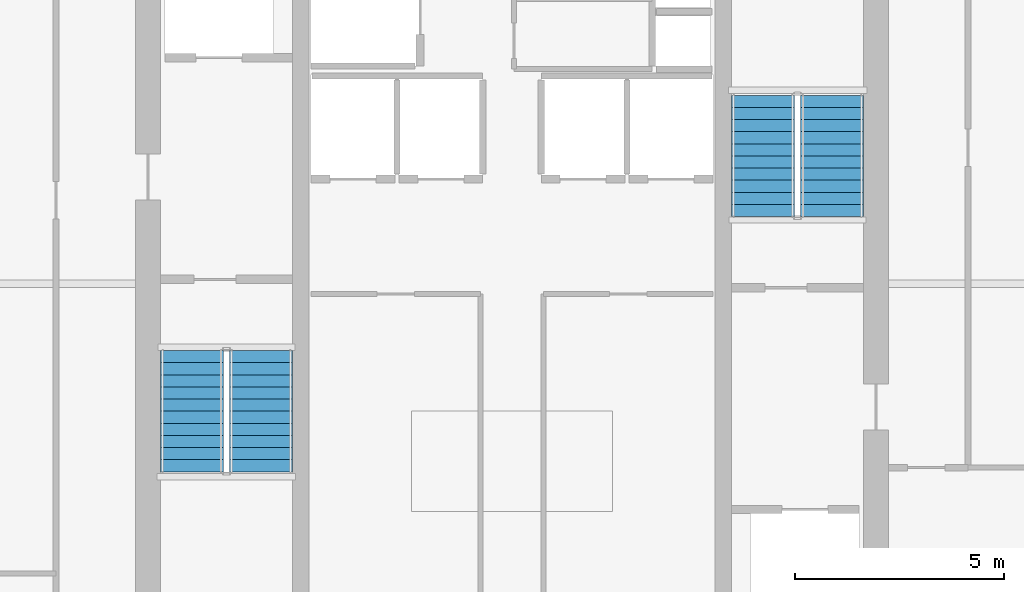
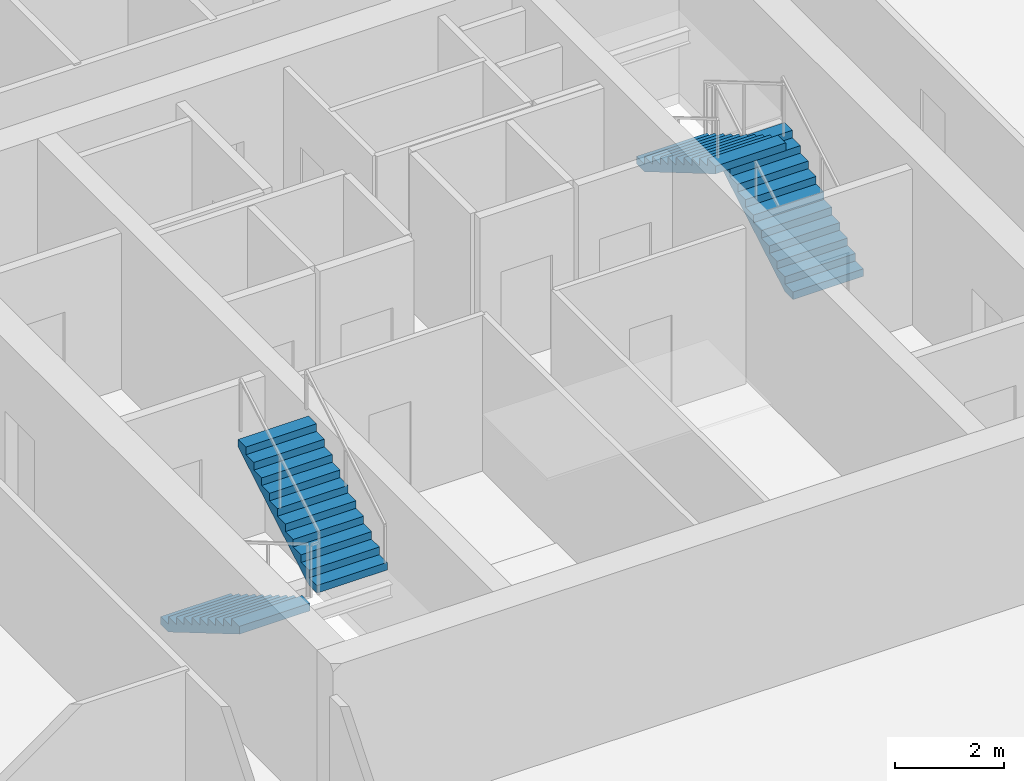
# One storey, part 16 of 19: 4 stair flights, 2 elements without a shape of their own.
"""IFC4 building model written with IfcOpenShell, lengths in metres."""

from ifc_helpers import new_model, si_unit, direction, frame, origin, place, context, subcontext, project, spatial, polyline, outline, extrude, material, type_object, element, aggregate, save


model = new_model("IFC4")

# Units and contexts
model_context = context("Model", 3, precision=1e-05, world=origin(), true_north=direction((0.0, 1.0)))
body_context = subcontext(model_context, "Body", "Model", "MODEL_VIEW")
ifc_project = project(units=[si_unit("LENGTHUNIT", "METRE"), si_unit("AREAUNIT", "SQUARE_METRE"), si_unit("VOLUMEUNIT", "CUBIC_METRE"), si_unit("PLANEANGLEUNIT", "RADIAN"), si_unit("MASSUNIT", "GRAM", prefix="KILO")], contexts=[model_context])

# Site, building, storey
site_placement = place(None, origin())
site = spatial("IfcSite", under=ifc_project, at=site_placement, CompositionType="ELEMENT")
building_placement = place(site_placement, origin())
building = spatial("IfcBuilding", under=site, at=building_placement, Name="Belovzor Exchange Tower", CompositionType="ELEMENT")
storey_placement = place(building_placement, frame((0.0, 0.0, 340.5)))
storey = spatial("IfcBuildingStorey", under=building, at=storey_placement, Name="L85", CompositionType="ELEMENT", Elevation=340.5)

# Stair, stair flights
ifc_material_1 = material(Name="Concrete C40/50", Category="concrete")
stair_type = type_object("IfcStairType", Name="Reinforced Concrete Dogleg Escape Stair 1350", PredefinedType="HALF_TURN_STAIR", material=ifc_material_1)
stair_1_placement = place(storey_placement, origin())
stair_1 = element("IfcStair", 1, at=stair_1_placement, inside=storey, type_object=stair_type, Name="L85 ST-1", PredefinedType="HALF_TURN_STAIR")
ifc_material_2 = material(Name="Concrete C40/50", Category="concrete")
stair_flight_type = type_object("IfcStairFlightType", Name="Reinforced Concrete Stair Flight 1350", PredefinedType="STRAIGHT", material=ifc_material_2)
stair_flight_1_placement = place(storey_placement, frame((21.14990234375, 27.199951171875, 0.0), z_axis=(0.0, 0.0, 1.0), x_axis=(0.0, -1.0, 0.0)))
stair_flight_1 = element("IfcStairFlight", 2, at=stair_flight_1_placement, type_object=stair_flight_type, Name="ST-1 flight 1", NumberOfRisers=11, NumberOfTreads=10, PredefinedType="STRAIGHT", RiserHeight=0.170454545, TreadLength=0.29, context=body_context, shape_type="SweptSolid", body=[
    extrude(outline(polyline([(0.0, 0.0), (0.0, 0.17041015625), (0.2900390625, 0.17041015625), (0.2900390625, 0.3408203125), (0.580078125, 0.3408203125), (0.580078125, 0.511474609375), (0.8701171875, 0.511474609375), (0.8701171875, 0.681884765625), (1.159912109375, 0.681884765625), (1.159912109375, 0.852294921875), (1.449951171875, 0.852294921875), (1.449951171875, 1.022705078125), (1.739990234375, 1.022705078125), (1.739990234375, 1.193115234375), (2.030029296875, 1.193115234375), (2.030029296875, 1.363525390625), (2.320068359375, 1.363525390625), (2.320068359375, 1.5341796875), (2.610107421875, 1.5341796875), (2.610107421875, 1.70458984375), (2.89990234375, 1.70458984375), (2.89990234375, 1.875), (2.89990234375, 1.53076171875), (0.2958984375, 0.0), (0.0, 0.0)])), frame((0.0, 0.75, 0.0), z_axis=(0.0, -1.0, 0.0), x_axis=(1.0, 0.0, 0.0)), (0.0, 0.0, 1.0), 1.5),
])
stair_flight_2_placement = place(storey_placement, frame((22.800048828125, 24.300048828125, 1.875), z_axis=(0.0, 0.0, 1.0), x_axis=(0.0, 1.0, 0.0)))
stair_flight_2 = element("IfcStairFlight", 3, at=stair_flight_2_placement, type_object=stair_flight_type, Name="ST-1 flight 2", NumberOfRisers=11, NumberOfTreads=10, PredefinedType="STRAIGHT", RiserHeight=0.170454545, TreadLength=0.29, context=body_context, shape_type="SweptSolid", body=[
    extrude(outline(polyline([(0.0, 0.0), (0.0, 0.17041015625), (0.2900390625, 0.17041015625), (0.2900390625, 0.3408203125), (0.580078125, 0.3408203125), (0.580078125, 0.511474609375), (0.8701171875, 0.511474609375), (0.8701171875, 0.681884765625), (1.159912109375, 0.681884765625), (1.159912109375, 0.852294921875), (1.449951171875, 0.852294921875), (1.449951171875, 1.022705078125), (1.739990234375, 1.022705078125), (1.739990234375, 1.193115234375), (2.030029296875, 1.193115234375), (2.030029296875, 1.363525390625), (2.320068359375, 1.363525390625), (2.320068359375, 1.5341796875), (2.610107421875, 1.5341796875), (2.610107421875, 1.70458984375), (2.89990234375, 1.70458984375), (2.89990234375, 1.875), (2.89990234375, 1.53076171875), (0.2958984375, 0.0), (0.0, 0.0)])), frame((0.0, 0.75, 0.0), z_axis=(0.0, -1.0, 0.0), x_axis=(1.0, 0.0, 0.0)), (0.0, 0.0, 1.0), 1.5),
])
aggregate(stair_1, [stair_flight_1, stair_flight_2])

stair_2_placement = place(storey_placement, origin())
stair_2 = element("IfcStair", 4, at=stair_2_placement, inside=storey, type_object=stair_type, Name="L85 ST-2", PredefinedType="HALF_TURN_STAIR")
stair_flight_3_placement = place(storey_placement, frame((36.449951171875, 30.39990234375, 0.0), z_axis=(0.0, 0.0, 1.0), x_axis=(0.0, 1.0, 0.0)))
stair_flight_3 = element("IfcStairFlight", 5, at=stair_flight_3_placement, type_object=stair_flight_type, Name="ST-2 flight 1", NumberOfRisers=11, NumberOfTreads=10, PredefinedType="STRAIGHT", RiserHeight=0.170454545, TreadLength=0.29, context=body_context, shape_type="SweptSolid", body=[
    extrude(outline(polyline([(0.0, 0.0), (0.0, 0.17041015625), (0.2900390625, 0.17041015625), (0.2900390625, 0.3408203125), (0.580078125, 0.3408203125), (0.580078125, 0.511474609375), (0.8701171875, 0.511474609375), (0.8701171875, 0.681884765625), (1.159912109375, 0.681884765625), (1.159912109375, 0.852294921875), (1.449951171875, 0.852294921875), (1.449951171875, 1.022705078125), (1.739990234375, 1.022705078125), (1.739990234375, 1.193115234375), (2.030029296875, 1.193115234375), (2.030029296875, 1.363525390625), (2.320068359375, 1.363525390625), (2.320068359375, 1.5341796875), (2.610107421875, 1.5341796875), (2.610107421875, 1.70458984375), (2.89990234375, 1.70458984375), (2.89990234375, 1.875), (2.89990234375, 1.53076171875), (0.2958984375, 0.0), (0.0, 0.0)])), frame((0.0, 0.75, 0.0), z_axis=(0.0, -1.0, 0.0), x_axis=(1.0, 0.0, 0.0)), (0.0, 0.0, 1.0), 1.5),
])
stair_flight_4_placement = place(storey_placement, frame((34.800048828125, 33.300048828125, 1.875), z_axis=(0.0, 0.0, 1.0), x_axis=(0.0, -1.0, 0.0)))
stair_flight_4 = element("IfcStairFlight", 6, at=stair_flight_4_placement, type_object=stair_flight_type, Name="ST-2 flight 2", NumberOfRisers=11, NumberOfTreads=10, PredefinedType="STRAIGHT", RiserHeight=0.170454545, TreadLength=0.29, context=body_context, shape_type="SweptSolid", body=[
    extrude(outline(polyline([(0.0, 0.0), (0.0, 0.17041015625), (0.2900390625, 0.17041015625), (0.2900390625, 0.3408203125), (0.580078125, 0.3408203125), (0.580078125, 0.511474609375), (0.8701171875, 0.511474609375), (0.8701171875, 0.681884765625), (1.159912109375, 0.681884765625), (1.159912109375, 0.852294921875), (1.449951171875, 0.852294921875), (1.449951171875, 1.022705078125), (1.739990234375, 1.022705078125), (1.739990234375, 1.193115234375), (2.030029296875, 1.193115234375), (2.030029296875, 1.363525390625), (2.320068359375, 1.363525390625), (2.320068359375, 1.5341796875), (2.610107421875, 1.5341796875), (2.610107421875, 1.70458984375), (2.89990234375, 1.70458984375), (2.89990234375, 1.875), (2.89990234375, 1.53076171875), (0.2958984375, 0.0), (0.0, 0.0)])), frame((0.0, 0.75, 0.0), z_axis=(0.0, -1.0, 0.0), x_axis=(1.0, 0.0, 0.0)), (0.0, 0.0, 1.0), 1.5),
])
aggregate(stair_2, [stair_flight_3, stair_flight_4])

save(model, "model.ifc")
